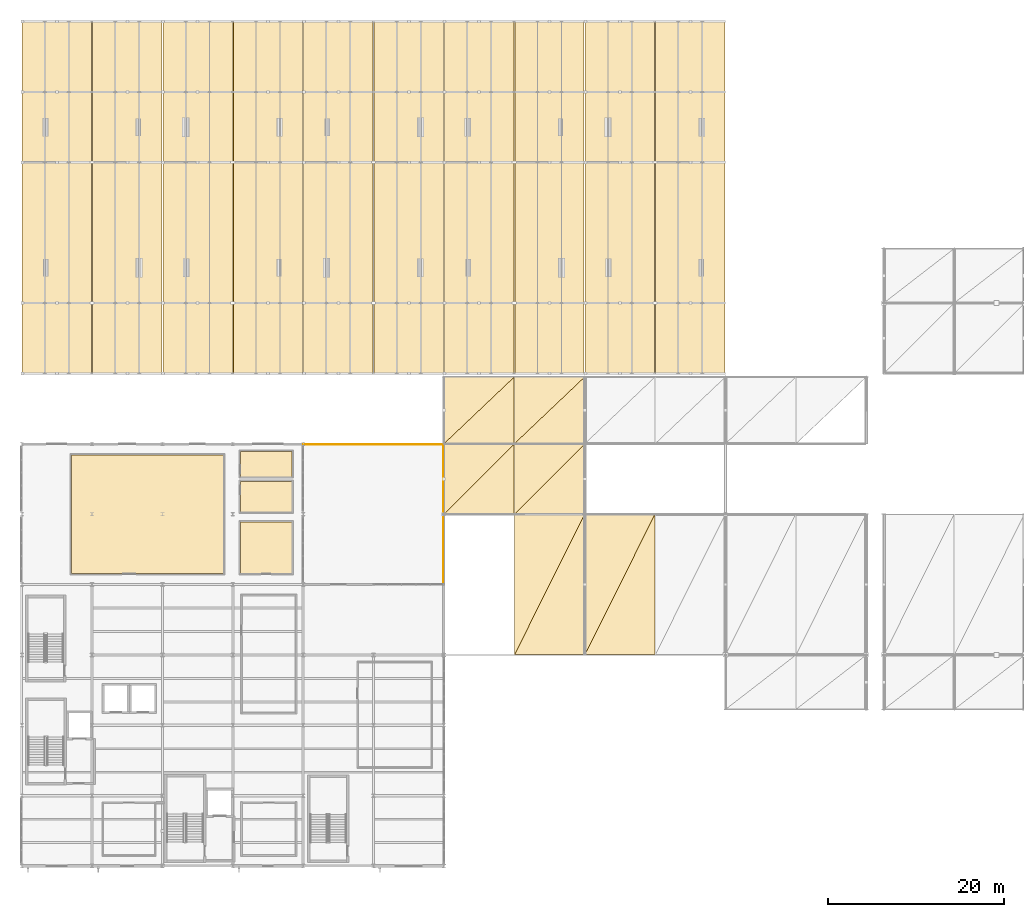
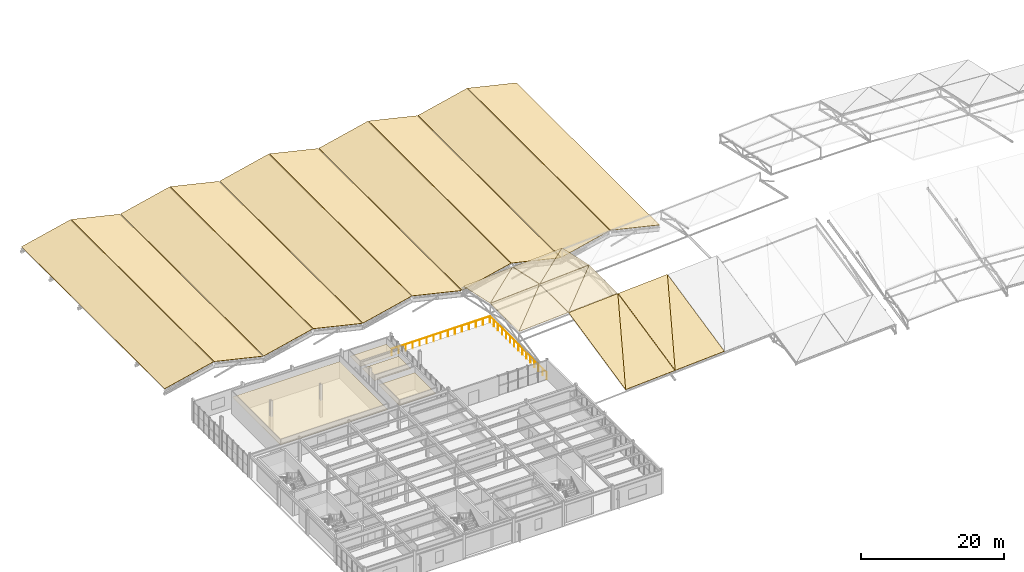
# One storey, part 67 of 67: 26 coverings, 1 railing, 2 elements without a shape of their own.
"""IFC4 building model written with IfcOpenShell, lengths in metres."""

from ifc_helpers import new_model, si_unit, direction, frame, origin, origin_2d, place, context, subcontext, project, spatial, polyline, circle, outline, extrude, material, layer, layer_set, type_object, element, aggregate, save


model = new_model("IFC4")

# Units and contexts
model_context = context("Model", 3, precision=1e-05, world=origin(), true_north=direction((0.0, 1.0)))
body_context = subcontext(model_context, "Body", "Model", "MODEL_VIEW")
ifc_project = project(units=[si_unit("LENGTHUNIT", "METRE"), si_unit("AREAUNIT", "SQUARE_METRE"), si_unit("VOLUMEUNIT", "CUBIC_METRE"), si_unit("PLANEANGLEUNIT", "RADIAN"), si_unit("MASSUNIT", "GRAM", prefix="KILO")], contexts=[model_context])

# Site, building, storey
site_placement = place(None, origin())
site = spatial("IfcSite", under=ifc_project, at=site_placement, CompositionType="ELEMENT")
building_placement = place(site_placement, origin())
building = spatial("IfcBuilding", under=site, at=building_placement, Name="Drelvath Fold Interchange", CompositionType="ELEMENT")
storey_placement = place(building_placement, frame((0.0, 0.0, 15.60009765625)))
storey = spatial("IfcBuildingStorey", under=building, at=storey_placement, Name="L03", CompositionType="ELEMENT", Elevation=15.60009765625)

# Coverings
ifc_material_1 = material(Name="Perforated Aluminium Acoustic Ceiling", Category="aluminium")
ifc_layer_1 = layer(ifc_material_1, 0.01806640625, Name="Perforated Aluminium Acoustic Ceiling")
ifc_layer_set_1 = layer_set([ifc_layer_1], Name="Perforated Aluminium Acoustic Ceiling")
covering_type_1 = type_object("IfcCoveringType", Name="CV-CEIL-AL18", PredefinedType="CEILING", material=ifc_layer_set_1)
covering_1_placement = place(storey_placement, frame((0.0, 0.0, 2.829833984375)))
element("IfcCovering", 1, at=covering_1_placement, inside=storey, type_object=covering_type_1, Name="Transit Planning Studio North acoustic ceiling", PredefinedType="CEILING", context=body_context, shape_type="SweptSolid", body=[
    extrude(outline(polyline([(9.64697265625, 36.248046875), (26.952880859375, 36.248046875), (26.952880859375, 49.751953125), (9.64697265625, 49.751953125), (9.64697265625, 36.248046875)])), origin(), (0.0, 0.0, 1.0), 0.02001953125),
])
covering_2_placement = place(storey_placement, frame((0.0, 0.0, 2.829833984375)))
element("IfcCovering", 2, at=covering_2_placement, inside=storey, type_object=covering_type_1, Name="Level L03 Staff Restroom acoustic ceiling", PredefinedType="CEILING", context=body_context, shape_type="SweptSolid", body=[
    extrude(outline(polyline([(28.863037109375, 36.262939453125), (34.737060546875, 36.262939453125), (34.737060546875, 42.137939453125), (28.863037109375, 42.137939453125), (28.863037109375, 36.262939453125)])), origin(), (0.0, 0.0, 1.0), 0.02001953125),
])
covering_3_placement = place(storey_placement, frame((0.0, 0.0, 2.829833984375)))
element("IfcCovering", 3, at=covering_3_placement, inside=storey, type_object=covering_type_1, Name="Level L03 Accessible WC acoustic ceiling", PredefinedType="CEILING", context=body_context, shape_type="SweptSolid", body=[
    extrude(outline(polyline([(28.863037109375, 43.262939453125), (34.737060546875, 43.262939453125), (34.737060546875, 46.737060546875), (28.863037109375, 46.737060546875), (28.863037109375, 43.262939453125)])), origin(), (0.0, 0.0, 1.0), 0.02001953125),
])
covering_4_placement = place(storey_placement, frame((0.0, 0.0, 2.829833984375)))
element("IfcCovering", 4, at=covering_4_placement, inside=storey, type_object=covering_type_1, Name="Level L03 Custodial Supply Closet acoustic ceiling", PredefinedType="CEILING", context=body_context, shape_type="SweptSolid", body=[
    extrude(outline(polyline([(28.85498046875, 47.2548828125), (34.7451171875, 47.2548828125), (34.7451171875, 50.14501953125), (28.85498046875, 50.14501953125), (28.85498046875, 47.2548828125)])), origin(), (0.0, 0.0, 1.0), 0.02001953125),
])

# Roof, coverings
ifc_material_2 = material(Name="Standing-Seam Acoustic Roof Assembly")
ifc_layer_2 = layer(ifc_material_2, 0.054931640625, Name="Standing-Seam Acoustic Roof Assembly")
ifc_layer_set_2 = layer_set([ifc_layer_2], Name="Standing-Seam Acoustic Roof Assembly")
roof_type_1 = type_object("IfcRoofType", Name="ROOF-SF", PredefinedType="FREEFORM", material=ifc_layer_set_2)
roof_1_placement = place(storey_placement, origin())
roof_1 = element("IfcRoof", 5, at=roof_1_placement, inside=storey, type_object=roof_type_1, Name="Roof assembly RF-ASM-SF-L03", PredefinedType="FREEFORM")
ifc_layer_3 = layer(ifc_material_2, 0.054931640625, Name="Standing-Seam Acoustic Roof Assembly")
ifc_layer_set_3 = layer_set([ifc_layer_3], Name="Standing-Seam Acoustic Roof Assembly")
covering_type_2 = type_object("IfcCoveringType", Name="CV-ROOF-SEAM", PredefinedType="ROOFING", material=ifc_layer_set_3)
covering_5_placement = place(storey_placement, frame((52.030029296875, 43.030029296875, 3.260986328125), z_axis=(-0.060096582196, 0.0, 0.998192566997), x_axis=(0.998192566997, 0.0, 0.060096582196)))
covering_5 = element("IfcCovering", 6, at=covering_5_placement, type_object=covering_type_2, Name="Standing-seam roof covering SL-RF-SF003", PredefinedType="ROOFING", context=body_context, shape_type="SweptSolid", body=[
    extrude(outline(polyline([(0.0, 0.0), (7.954318303667255, 0.0), (7.954318303667255, 7.93994140625), (0.0, 0.0)])), origin(), (0.0, 0.0, -1.0), 0.054931640625),
])
covering_6_placement = place(storey_placement, frame((52.030029296875, 43.030029296875, 3.260986328125), z_axis=(-0.060096582196, 0.0, 0.998192566997), x_axis=(0.706466890092, 0.706466890092, 0.042533121296)))
covering_6 = element("IfcCovering", 7, at=covering_6_placement, type_object=covering_type_2, Name="Standing-seam roof covering SL-RF-SF004", PredefinedType="ROOFING", context=body_context, shape_type="SweptSolid", body=[
    extrude(outline(polyline([(0.0, 0.0), (11.238943420568463, -3.3306690738754696e-16), (5.609305712786883, 5.6194625147944235), (0.0, 0.0)])), origin(), (0.0, 0.0, -1.0), 0.054931640625),
])
covering_7_placement = place(storey_placement, frame((52.030029296875, 51.030029296875, 3.247802734375), z_axis=(-0.058721833682, 0.212668777665, 0.975358260977), x_axis=(0.998192566997, 0.0, 0.060096582196)))
covering_7 = element("IfcCovering", 8, at=covering_7_placement, type_object=covering_type_2, Name="Standing-seam roof covering SL-RF-SF005", PredefinedType="ROOFING", context=body_context, shape_type="SweptSolid", body=[
    extrude(outline(polyline([(0.0, 0.0), (7.954318303667255, 0.0), (7.855516940261908, 7.71656041495895), (0.0, 0.0)])), origin(), (0.0, 0.0, -1.0), 0.054931640625),
])
covering_8_placement = place(storey_placement, frame((52.030029296875, 51.030029296875, 3.247802734375), z_axis=(-0.058692340469, 0.212638998768, 0.975366528733), x_axis=(0.721055099485, 0.684738506011, -0.105890140678)))
covering_8 = element("IfcCovering", 9, at=covering_8_placement, type_object=covering_type_2, Name="Standing-seam roof covering SL-RF-SF006", PredefinedType="ROOFING", context=body_context, shape_type="SweptSolid", body=[
    extrude(outline(polyline([(0.0, 0.0), (11.011559882071808, -1.2212453270876722e-15), (5.337017172077446, 5.574092872954439), (0.0, 0.0)])), origin(), (0.0, 0.0, -1.0), 0.054931640625),
])
covering_9_placement = place(storey_placement, frame((60.030029296875, 27.030029296875, 0.25390625), z_axis=(-0.05872238266, -0.212626802128, 0.975367379397), x_axis=(0.998192566997, 0.0, 0.060096582196)))
covering_9 = element("IfcCovering", 10, at=covering_9_placement, type_object=covering_type_2, Name="Standing-seam roof covering SL-RF-SF009", PredefinedType="ROOFING", context=body_context, shape_type="SweptSolid", body=[
    extrude(outline(polyline([(0.0, 0.0), (7.954318303667255, 0.0), (8.163145123588297, 16.312962034805828), (0.0, 0.0)])), origin(), (0.0, 0.0, -1.0), 0.054931640625),
])
covering_10_placement = place(storey_placement, frame((60.030029296875, 27.030029296875, 0.25390625), z_axis=(-0.058692308558, -0.212641440061, 0.975365998426), x_axis=(0.435269745672, 0.873831919775, 0.216698002957)))
covering_10 = element("IfcCovering", 11, at=covering_10_placement, type_object=covering_type_2, Name="Standing-seam roof covering SL-RF-SF010", PredefinedType="ROOFING", context=body_context, shape_type="SweptSolid", body=[
    extrude(outline(polyline([(0.0, 0.0), (18.24142726482168, 4.440892098500626e-16), (14.681876322310403, 7.113405893911769), (0.0, 0.0)])), origin(), (0.0, 0.0, -1.0), 0.054931640625),
])
covering_11_placement = place(storey_placement, frame((60.030029296875, 43.030029296875, 3.741943359375), z_axis=(-0.060096582196, 0.0, 0.998192566997), x_axis=(0.998192566997, 0.0, 0.060096582196)))
covering_11 = element("IfcCovering", 12, at=covering_11_placement, type_object=covering_type_2, Name="Standing-seam roof covering SL-RF-SF011", PredefinedType="ROOFING", context=body_context, shape_type="SweptSolid", body=[
    extrude(outline(polyline([(0.0, 0.0), (7.954318303667255, 0.0), (7.954318303667255, 7.93994140625), (0.0, 0.0)])), origin(), (0.0, 0.0, -1.0), 0.054931640625),
])
covering_12_placement = place(storey_placement, frame((60.030029296875, 43.030029296875, 3.741943359375), z_axis=(-0.060096582196, 0.0, 0.998192566997), x_axis=(0.706466890092, 0.706466890092, 0.042533121296)))
covering_12 = element("IfcCovering", 13, at=covering_12_placement, type_object=covering_type_2, Name="Standing-seam roof covering SL-RF-SF012", PredefinedType="ROOFING", context=body_context, shape_type="SweptSolid", body=[
    extrude(outline(polyline([(0.0, 0.0), (11.238943420568463, -3.3306690738754696e-16), (5.609305712786883, 5.6194625147944235), (0.0, 0.0)])), origin(), (0.0, 0.0, -1.0), 0.054931640625),
])
covering_13_placement = place(storey_placement, frame((60.030029296875, 51.030029296875, 3.72900390625), z_axis=(-0.058692340469, 0.212638998768, 0.975366528733), x_axis=(0.998194407733, 0.0, 0.060066000121)))
covering_13 = element("IfcCovering", 14, at=covering_13_placement, type_object=covering_type_2, Name="Standing-seam roof covering SL-RF-SF013", PredefinedType="ROOFING", context=body_context, shape_type="SweptSolid", body=[
    extrude(outline(polyline([(0.0, 0.0), (7.954303635383277, 0.0), (7.855567214774305, 7.7165092347911), (0.0, 0.0)])), origin(), (0.0, 0.0, -1.0), 0.054931640625),
])
covering_14_placement = place(storey_placement, frame((60.030029296875, 51.030029296875, 3.72900390625), z_axis=(-0.058603857189, 0.21254965672, 0.975391322163), x_axis=(0.721055099485, 0.684738506011, -0.105890140678)))
covering_14 = element("IfcCovering", 15, at=covering_14_placement, type_object=covering_type_2, Name="Standing-seam roof covering SL-RF-SF014", PredefinedType="ROOFING", context=body_context, shape_type="SweptSolid", body=[
    extrude(outline(polyline([(0.0, 0.0), (11.011559882071808, -8.604228440844963e-16), (5.336939615822066, 5.573951185330043), (0.0, 0.0)])), origin(), (0.0, 0.0, -1.0), 0.054931640625),
])
covering_15_placement = place(storey_placement, frame((68.030029296875, 27.030029296875, 0.73486328125), z_axis=(-0.058722196126, -0.212641065667, 0.975364281115), x_axis=(0.998192566997, 0.0, 0.060096582196)))
covering_15 = element("IfcCovering", 16, at=covering_15_placement, type_object=covering_type_2, Name="Standing-seam roof covering SL-RF-SF017", PredefinedType="ROOFING", context=body_context, shape_type="SweptSolid", body=[
    extrude(outline(polyline([(0.0, 0.0), (7.954318303667255, 0.0), (8.163159795605434, 16.313013853558836), (0.0, 0.0)])), origin(), (0.0, 0.0, -1.0), 0.054931640625),
])
covering_16_placement = place(storey_placement, frame((68.030029296875, 27.030029296875, 0.73486328125), z_axis=(-0.058722196126, -0.212641065667, 0.975364281115), x_axis=(0.435268483245, 0.873829385372, 0.216710758278)))
covering_16 = element("IfcCovering", 17, at=covering_16_placement, type_object=covering_type_2, Name="Standing-seam roof covering SL-RF-SF018", PredefinedType="ROOFING", context=body_context, shape_type="SweptSolid", body=[
    extrude(outline(polyline([(0.0, 0.0), (18.241480171164607, -2.7755575615628914e-17), (14.681880250068982, 7.113397787119172), (0.0, 0.0)])), origin(), (0.0, 0.0, -1.0), 0.054931640625),
])
aggregate(roof_1, [covering_5, covering_6, covering_7, covering_8, covering_9, covering_10, covering_11, covering_12, covering_13, covering_14, covering_15, covering_16])

ifc_layer_4 = layer(ifc_material_2, 0.054931640625, Name="Standing-Seam Acoustic Roof Assembly")
ifc_layer_set_4 = layer_set([ifc_layer_4], Name="Standing-Seam Acoustic Roof Assembly")
roof_type_2 = type_object("IfcRoofType", Name="ROOF-FP", PredefinedType="GABLE_ROOF", material=ifc_layer_set_4)
roof_2_placement = place(storey_placement, origin())
roof_2 = element("IfcRoof", 18, at=roof_2_placement, inside=storey, type_object=roof_type_2, Name="Roof assembly RF-ASM-FP", PredefinedType="GABLE_ROOF")
covering_17_placement = place(storey_placement, frame((4.054931640625, 59.0, 0.60498046875), z_axis=(-0.228261822138, 0.0, 0.97359978459), x_axis=(0.97359978459, 0.0, 0.228261822138)))
covering_17 = element("IfcCovering", 19, at=covering_17_placement, type_object=covering_type_2, Name="Standing-seam roof covering SL-RF-FP01", PredefinedType="ROOFING", context=body_context, shape_type="SweptSolid", body=[
    extrude(outline(polyline([(0.0, 0.0), (8.104086343927808, 0.0), (8.104086343927808, 40.0), (0.0, 40.0), (0.0, 0.0)])), origin(), (0.0, 0.0, -1.0), 0.054931640625),
])
covering_18_placement = place(storey_placement, frame((12.054931640625, 59.0, 2.454833984375), z_axis=(0.228261822138, 0.0, 0.97359978459), x_axis=(0.97359978459, 0.0, -0.228261822138)))
covering_18 = element("IfcCovering", 20, at=covering_18_placement, type_object=covering_type_2, Name="Standing-seam roof covering SL-RF-FP02", PredefinedType="ROOFING", context=body_context, shape_type="SweptSolid", body=[
    extrude(outline(polyline([(0.0, 0.0), (8.104086343927808, 0.0), (8.104086343927808, 40.0), (0.0, 40.0), (0.0, 0.0)])), origin(), (0.0, 0.0, -1.0), 0.054931640625),
])
covering_19_placement = place(storey_placement, frame((20.054931640625, 59.0, 0.60498046875), z_axis=(-0.228261822138, 0.0, 0.97359978459), x_axis=(0.97359978459, 0.0, 0.228261822138)))
covering_19 = element("IfcCovering", 21, at=covering_19_placement, type_object=covering_type_2, Name="Standing-seam roof covering SL-RF-FP03", PredefinedType="ROOFING", context=body_context, shape_type="SweptSolid", body=[
    extrude(outline(polyline([(0.0, 0.0), (8.104086343927808, 0.0), (8.104086343927808, 40.0), (0.0, 40.0), (0.0, 0.0)])), origin(), (0.0, 0.0, -1.0), 0.054931640625),
])
covering_20_placement = place(storey_placement, frame((28.054931640625, 59.0, 2.454833984375), z_axis=(0.228261822138, 0.0, 0.97359978459), x_axis=(0.97359978459, 0.0, -0.228261822138)))
covering_20 = element("IfcCovering", 22, at=covering_20_placement, type_object=covering_type_2, Name="Standing-seam roof covering SL-RF-FP04", PredefinedType="ROOFING", context=body_context, shape_type="SweptSolid", body=[
    extrude(outline(polyline([(0.0, 0.0), (8.104086343927808, 0.0), (8.104086343927808, 40.0), (0.0, 40.0), (0.0, 0.0)])), origin(), (0.0, 0.0, -1.0), 0.054931640625),
])
covering_21_placement = place(storey_placement, frame((36.054931640625, 59.0, 0.60498046875), z_axis=(-0.228261822138, 0.0, 0.97359978459), x_axis=(0.97359978459, 0.0, 0.228261822138)))
covering_21 = element("IfcCovering", 23, at=covering_21_placement, type_object=covering_type_2, Name="Standing-seam roof covering SL-RF-FP05", PredefinedType="ROOFING", context=body_context, shape_type="SweptSolid", body=[
    extrude(outline(polyline([(0.0, 0.0), (8.104086343927808, 0.0), (8.104086343927808, 40.0), (0.0, 40.0), (0.0, 0.0)])), origin(), (0.0, 0.0, -1.0), 0.054931640625),
])
covering_22_placement = place(storey_placement, frame((44.054931640625, 59.0, 2.454833984375), z_axis=(0.228261822138, 0.0, 0.97359978459), x_axis=(0.97359978459, 0.0, -0.228261822138)))
covering_22 = element("IfcCovering", 24, at=covering_22_placement, type_object=covering_type_2, Name="Standing-seam roof covering SL-RF-FP06", PredefinedType="ROOFING", context=body_context, shape_type="SweptSolid", body=[
    extrude(outline(polyline([(0.0, 0.0), (8.104086343927808, 0.0), (8.104086343927808, 40.0), (0.0, 40.0), (0.0, 0.0)])), origin(), (0.0, 0.0, -1.0), 0.054931640625),
])
covering_23_placement = place(storey_placement, frame((52.054931640625, 59.0, 0.60498046875), z_axis=(-0.228261822138, 0.0, 0.97359978459), x_axis=(0.97359978459, 0.0, 0.228261822138)))
covering_23 = element("IfcCovering", 25, at=covering_23_placement, type_object=covering_type_2, Name="Standing-seam roof covering SL-RF-FP07", PredefinedType="ROOFING", context=body_context, shape_type="SweptSolid", body=[
    extrude(outline(polyline([(0.0, 0.0), (8.104086343927808, 0.0), (8.104086343927808, 40.0), (0.0, 40.0), (0.0, 0.0)])), origin(), (0.0, 0.0, -1.0), 0.054931640625),
])
covering_24_placement = place(storey_placement, frame((60.054931640625, 59.0, 2.454833984375), z_axis=(0.228261822138, 0.0, 0.97359978459), x_axis=(0.97359978459, 0.0, -0.228261822138)))
covering_24 = element("IfcCovering", 26, at=covering_24_placement, type_object=covering_type_2, Name="Standing-seam roof covering SL-RF-FP08", PredefinedType="ROOFING", context=body_context, shape_type="SweptSolid", body=[
    extrude(outline(polyline([(0.0, 0.0), (8.104086343927808, 0.0), (8.104086343927808, 40.0), (0.0, 40.0), (0.0, 0.0)])), origin(), (0.0, 0.0, -1.0), 0.054931640625),
])
covering_25_placement = place(storey_placement, frame((68.054931640625, 59.0, 0.60498046875), z_axis=(-0.228261822138, 0.0, 0.97359978459), x_axis=(0.97359978459, 0.0, 0.228261822138)))
covering_25 = element("IfcCovering", 27, at=covering_25_placement, type_object=covering_type_2, Name="Standing-seam roof covering SL-RF-FP09", PredefinedType="ROOFING", context=body_context, shape_type="SweptSolid", body=[
    extrude(outline(polyline([(0.0, 0.0), (8.104086343927808, 0.0), (8.104086343927808, 40.0), (0.0, 40.0), (0.0, 0.0)])), origin(), (0.0, 0.0, -1.0), 0.054931640625),
])
covering_26_placement = place(storey_placement, frame((76.054931640625, 59.0, 2.454833984375), z_axis=(0.228261822138, 0.0, 0.97359978459), x_axis=(0.97359978459, 0.0, -0.228261822138)))
covering_26 = element("IfcCovering", 28, at=covering_26_placement, type_object=covering_type_2, Name="Standing-seam roof covering SL-RF-FP10", PredefinedType="ROOFING", context=body_context, shape_type="SweptSolid", body=[
    extrude(outline(polyline([(0.0, 0.0), (8.104086343927808, 0.0), (8.104086343927808, 40.0), (0.0, 40.0), (0.0, 0.0)])), origin(), (0.0, 0.0, -1.0), 0.054931640625),
])
aggregate(roof_2, [covering_17, covering_18, covering_19, covering_20, covering_21, covering_22, covering_23, covering_24, covering_25, covering_26])

# Railing
ifc_material_3 = material(Name="Stainless Steel 316L", Category="steel")
railing_type = type_object("IfcRailingType", Name="RL-GRD1150", PredefinedType="GUARDRAIL", material=ifc_material_3)
railing_placement = place(storey_placement, frame((51.919921875, 35.050048828125, 0.0)))
element("IfcRailing", 29, at=railing_placement, inside=storey, type_object=railing_type, Name="L03 outdoor terrace perimeter guard 4", PredefinedType="GUARDRAIL", context=body_context, shape_type="SweptSolid", body=[
    extrude(circle(Radius=0.02392578125, at=origin_2d()), frame((0.0, 0.0, 1.1259765625), z_axis=(0.0, 1.0, 0.0), x_axis=(-1.0, 0.0, 0.0)), (0.0, 0.0, 1.0), 15.869873046875),
    extrude(circle(Radius=0.02392578125, at=origin_2d()), frame((0.0, 15.869873046875, 1.1259765625), z_axis=(-1.0, 0.0, 0.0), x_axis=(0.0, -1.0, 0.0)), (0.0, 0.0, 1.0), 15.869873046875),
    extrude(circle(Radius=0.02099609375, at=origin_2d()), origin(), (0.0, 0.0, 1.0), 1.101806640625),
    extrude(circle(Radius=0.02099609375, at=origin_2d()), frame((0.0, 1.133544921875, 0.0)), (0.0, 0.0, 1.0), 1.101806640625),
    extrude(circle(Radius=0.02099609375, at=origin_2d()), frame((0.0, 2.26708984375, 0.0)), (0.0, 0.0, 1.0), 1.101806640625),
    extrude(circle(Radius=0.02099609375, at=origin_2d()), frame((0.0, 3.400634765625, 0.0)), (0.0, 0.0, 1.0), 1.101806640625),
    extrude(circle(Radius=0.02099609375, at=origin_2d()), frame((0.0, 4.5341796875, 0.0)), (0.0, 0.0, 1.0), 1.101806640625),
    extrude(circle(Radius=0.02099609375, at=origin_2d()), frame((0.0, 5.667724609375, 0.0)), (0.0, 0.0, 1.0), 1.101806640625),
    extrude(circle(Radius=0.02099609375, at=origin_2d()), frame((0.0, 6.80126953125, 0.0)), (0.0, 0.0, 1.0), 1.101806640625),
    extrude(circle(Radius=0.02099609375, at=origin_2d()), frame((0.0, 7.93505859375, 0.0)), (0.0, 0.0, 1.0), 1.101806640625),
    extrude(circle(Radius=0.02099609375, at=origin_2d()), frame((0.0, 9.068603515625, 0.0)), (0.0, 0.0, 1.0), 1.101806640625),
    extrude(circle(Radius=0.02099609375, at=origin_2d()), frame((0.0, 10.2021484375, 0.0)), (0.0, 0.0, 1.0), 1.101806640625),
    extrude(circle(Radius=0.02099609375, at=origin_2d()), frame((0.0, 11.335693359375, 0.0)), (0.0, 0.0, 1.0), 1.101806640625),
    extrude(circle(Radius=0.02099609375, at=origin_2d()), frame((0.0, 12.46923828125, 0.0)), (0.0, 0.0, 1.0), 1.101806640625),
    extrude(circle(Radius=0.02099609375, at=origin_2d()), frame((0.0, 13.602783203125, 0.0)), (0.0, 0.0, 1.0), 1.101806640625),
    extrude(circle(Radius=0.02099609375, at=origin_2d()), frame((0.0, 14.736328125, 0.0)), (0.0, 0.0, 1.0), 1.101806640625),
    extrude(circle(Radius=0.02099609375, at=origin_2d()), frame((0.0, 15.869873046875, 0.0)), (0.0, 0.0, 1.0), 1.101806640625),
    extrude(circle(Radius=0.02099609375, at=origin_2d()), frame((-1.133544921875, 15.869873046875, 0.0)), (0.0, 0.0, 1.0), 1.101806640625),
    extrude(circle(Radius=0.02099609375, at=origin_2d()), frame((-2.26708984375, 15.869873046875, 0.0)), (0.0, 0.0, 1.0), 1.101806640625),
    extrude(circle(Radius=0.02099609375, at=origin_2d()), frame((-3.400634765625, 15.869873046875, 0.0)), (0.0, 0.0, 1.0), 1.101806640625),
    extrude(circle(Radius=0.02099609375, at=origin_2d()), frame((-4.5341796875, 15.869873046875, 0.0)), (0.0, 0.0, 1.0), 1.101806640625),
    extrude(circle(Radius=0.02099609375, at=origin_2d()), frame((-5.667724609375, 15.869873046875, 0.0)), (0.0, 0.0, 1.0), 1.101806640625),
    extrude(circle(Radius=0.02099609375, at=origin_2d()), frame((-6.80126953125, 15.869873046875, 0.0)), (0.0, 0.0, 1.0), 1.101806640625),
    extrude(circle(Radius=0.02099609375, at=origin_2d()), frame((-7.93505859375, 15.869873046875, 0.0)), (0.0, 0.0, 1.0), 1.101806640625),
    extrude(circle(Radius=0.02099609375, at=origin_2d()), frame((-9.068603515625, 15.869873046875, 0.0)), (0.0, 0.0, 1.0), 1.101806640625),
    extrude(circle(Radius=0.02099609375, at=origin_2d()), frame((-10.2021484375, 15.869873046875, 0.0)), (0.0, 0.0, 1.0), 1.101806640625),
    extrude(circle(Radius=0.02099609375, at=origin_2d()), frame((-11.335693359375, 15.869873046875, 0.0)), (0.0, 0.0, 1.0), 1.101806640625),
    extrude(circle(Radius=0.02099609375, at=origin_2d()), frame((-12.46923828125, 15.869873046875, 0.0)), (0.0, 0.0, 1.0), 1.101806640625),
    extrude(circle(Radius=0.02099609375, at=origin_2d()), frame((-13.602783203125, 15.869873046875, 0.0)), (0.0, 0.0, 1.0), 1.101806640625),
    extrude(circle(Radius=0.02099609375, at=origin_2d()), frame((-14.736328125, 15.869873046875, 0.0)), (0.0, 0.0, 1.0), 1.101806640625),
    extrude(circle(Radius=0.02099609375, at=origin_2d()), frame((-15.869873046875, 15.869873046875, 0.0)), (0.0, 0.0, 1.0), 1.101806640625),
])

save(model, "model.ifc")
